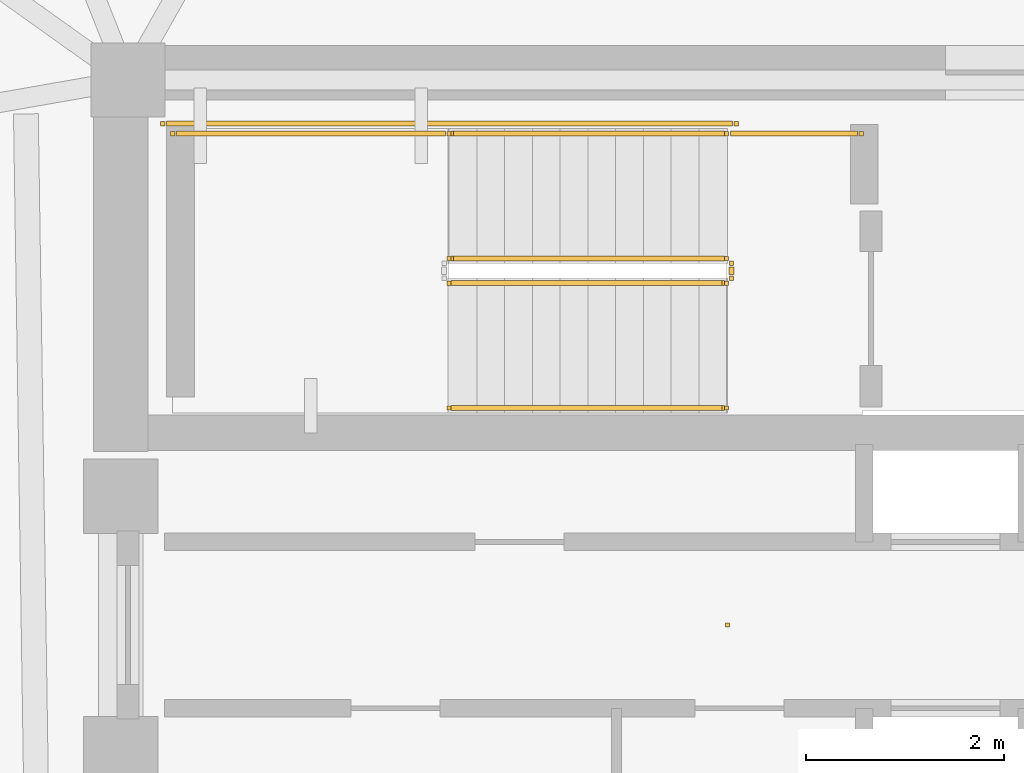
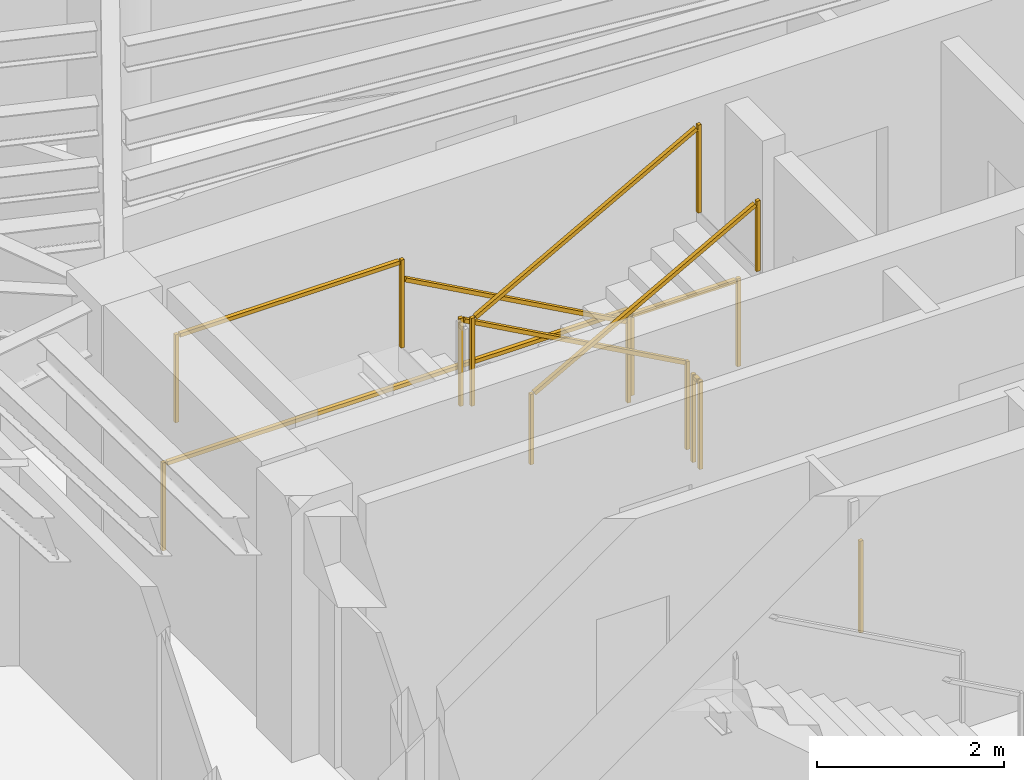
# One storey, part 8 of 9: 9 railings.
"""IFC4 building model written with IfcOpenShell, lengths in metres."""

from ifc_helpers import new_model, si_unit, direction, frame, origin, origin_2d, place, context, subcontext, project, spatial, rectangle, extrude, material, type_object, element, save


model = new_model("IFC4")

# Units and contexts
model_context = context("Model", 3, precision=1e-05, world=origin(), true_north=direction((0.0, 1.0)))
body_context = subcontext(model_context, "Body", "Model", "MODEL_VIEW")
ifc_project = project(units=[si_unit("LENGTHUNIT", "METRE"), si_unit("AREAUNIT", "SQUARE_METRE"), si_unit("VOLUMEUNIT", "CUBIC_METRE"), si_unit("PLANEANGLEUNIT", "RADIAN"), si_unit("MASSUNIT", "GRAM", prefix="KILO")], contexts=[model_context])

# Site, building, storey
site_placement = place(None, origin())
site = spatial("IfcSite", under=ifc_project, at=site_placement, CompositionType="ELEMENT")
building_placement = place(site_placement, origin())
building = spatial("IfcBuilding", under=site, at=building_placement, Name="Yunling Apex Tower", CompositionType="ELEMENT")
storey_placement = place(building_placement, frame((0.0, 0.0, 271.14990234375)))
storey = spatial("IfcBuildingStorey", under=building, at=storey_placement, Name="L66", CompositionType="ELEMENT", Elevation=271.14990234375)

# Railings
ifc_material_1 = material(Name="Bronze anodised aluminium", Category="aluminium")
railing_type_1 = type_object("IfcRailingType", Name="RL-BAL-1200", PredefinedType="BALUSTRADE", material=ifc_material_1)
railing_1_placement = place(storey_placement, origin())
element("IfcRailing", 1, at=railing_1_placement, inside=storey, type_object=railing_type_1, Name="RL-TATR-L66", PredefinedType="BALUSTRADE", context=body_context, shape_type="SweptSolid", body=[
    extrude(rectangle(XDim=0.0439453125, YDim=0.0439453125, at=origin_2d()), origin(), (0.0, 0.0, 1.0), 1.199951171875),
])
ifc_material_2 = material(Name="Steel Q355B", Category="steel")
railing_type_2 = type_object("IfcRailingType", Name="RL-GRD-1150", PredefinedType="GUARDRAIL", material=ifc_material_2)
railing_2_placement = place(storey_placement, frame((-0.010009765625, 3.699951171875, 0.154541015625)))
element("IfcRailing", 2, at=railing_2_placement, inside=storey, type_object=railing_type_2, Name="L66 ST-1 stair guard 1", PredefinedType="GUARDRAIL", context=body_context, shape_type="SweptSolid", body=[
    extrude(rectangle(XDim=0.0439453125, YDim=0.0439453125, at=origin_2d()), origin(), (0.0, 0.0, 1.0), 1.14990234375),
    extrude(rectangle(XDim=0.0439453125, YDim=0.0439453125, at=origin_2d()), frame((-2.800048828125, 0.0, 1.545654296875)), (0.0, 0.0, 1.0), 1.14990234375),
    extrude(rectangle(XDim=0.050048828125, YDim=0.050048828125, at=origin_2d()), frame((-0.033447265625, 0.0, 1.143310546875), z_axis=(-0.875471895205, 0.0, 0.483269035534), x_axis=(0.0, -1.0, 0.0)), (0.0, 0.0, 1.0), 3.12158203125),
])
railing_3_placement = place(storey_placement, frame((-2.81005859375, 4.9599609375, 1.7001953125)))
element("IfcRailing", 3, at=railing_3_placement, inside=storey, type_object=railing_type_2, Name="L66 ST-1 stair guard 3", PredefinedType="GUARDRAIL", context=body_context, shape_type="SweptSolid", body=[
    extrude(rectangle(XDim=0.0439453125, YDim=0.0439453125, at=origin_2d()), origin(), (0.0, 0.0, 1.0), 1.14990234375),
    extrude(rectangle(XDim=0.0439453125, YDim=0.0439453125, at=origin_2d()), frame((-2.7900390625, 0.0, 0.0)), (0.0, 0.0, 1.0), 1.14990234375),
    extrude(rectangle(XDim=0.050048828125, YDim=0.050048828125, at=origin_2d()), frame((-0.038330078125, 0.0, 1.125), z_axis=(-1.0, 0.0, 0.0), x_axis=(0.0, -1.0, 0.0)), (0.0, 0.0, 1.0), 2.71337890625),
])
railing_4_placement = place(storey_placement, frame((-2.81005859375, 3.449951171875, 1.854736328125)))
element("IfcRailing", 4, at=railing_4_placement, inside=storey, type_object=railing_type_2, Name="L66 ST-1 stair guard 4", PredefinedType="GUARDRAIL", context=body_context, shape_type="SweptSolid", body=[
    extrude(rectangle(XDim=0.0439453125, YDim=0.0439453125, at=origin_2d()), origin(), (0.0, 0.0, 1.0), 1.14990234375),
    extrude(rectangle(XDim=0.0439453125, YDim=0.0439453125, at=origin_2d()), frame((2.800048828125, 0.0, 1.54541015625)), (0.0, 0.0, 1.0), 1.14990234375),
    extrude(rectangle(XDim=0.050048828125, YDim=0.050048828125, at=origin_2d()), frame((0.033447265625, 0.0, 1.143310546875), z_axis=(0.875504190374, 0.0, 0.483210526207), x_axis=(0.0, 1.0, 0.0)), (0.0, 0.0, 1.0), 3.12158203125),
])
railing_5_placement = place(storey_placement, frame((0.0400390625, 3.64990234375, 0.0)))
element("IfcRailing", 5, at=railing_5_placement, inside=storey, type_object=railing_type_2, Name="L66 ST-1 stair guard 5", PredefinedType="GUARDRAIL", context=body_context, shape_type="SweptSolid", body=[
    extrude(rectangle(XDim=0.0439453125, YDim=0.0439453125, at=origin_2d()), origin(), (0.0, 0.0, 1.0), 1.14990234375),
    extrude(rectangle(XDim=0.0439453125, YDim=0.0439453125, at=origin_2d()), frame((0.0, -0.14990234375, 0.0)), (0.0, 0.0, 1.0), 1.14990234375),
    extrude(rectangle(XDim=0.050048828125, YDim=0.050048828125, at=origin_2d()), frame((0.0, -0.038330078125, 1.125), z_axis=(0.0, -1.0, 0.0), x_axis=(1.0, 0.0, 0.0)), (0.0, 0.0, 1.0), 0.0732421875),
])
railing_6_placement = place(storey_placement, frame((1.35009765625, 4.9599609375, 0.0)))
element("IfcRailing", 6, at=railing_6_placement, inside=storey, type_object=railing_type_2, Name="L66 ST-1 stair guard 6", PredefinedType="GUARDRAIL", context=body_context, shape_type="SweptSolid", body=[
    extrude(rectangle(XDim=0.0439453125, YDim=0.0439453125, at=origin_2d()), origin(), (0.0, 0.0, 1.0), 1.14990234375),
    extrude(rectangle(XDim=0.0439453125, YDim=0.0439453125, at=origin_2d()), frame((-1.360107421875, 0.0, 0.0)), (0.0, 0.0, 1.0), 1.14990234375),
    extrude(rectangle(XDim=0.050048828125, YDim=0.050048828125, at=origin_2d()), frame((-0.038330078125, 0.0, 1.125), z_axis=(-1.0, 0.0, 0.0), x_axis=(0.0, -1.0, 0.0)), (0.0, 0.0, 1.0), 1.283447265625),
])
railing_7_placement = place(storey_placement, frame((0.090087890625, 5.06005859375, 0.0)))
element("IfcRailing", 7, at=railing_7_placement, inside=storey, type_object=railing_type_2, Name="L66 ST-1 stair guard 7", PredefinedType="GUARDRAIL", context=body_context, shape_type="SweptSolid", body=[
    extrude(rectangle(XDim=0.0439453125, YDim=0.0439453125, at=origin_2d()), origin(), (0.0, 0.0, 1.0), 1.14990234375),
    extrude(rectangle(XDim=0.0439453125, YDim=0.0439453125, at=origin_2d()), frame((-5.7900390625, 0.0, 0.0)), (0.0, 0.0, 1.0), 1.14990234375),
    extrude(rectangle(XDim=0.050048828125, YDim=0.050048828125, at=origin_2d()), frame((-0.038330078125, 0.0, 1.125), z_axis=(-1.0, 0.0, 0.0), x_axis=(0.0, -1.0, 0.0)), (0.0, 0.0, 1.0), 5.71337890625),
])
ifc_material_3 = material(Name="Silver anodised aluminium", Category="aluminium")
railing_type_3 = type_object("IfcRailingType", Name="RL-HND-900", PredefinedType="HANDRAIL", material=ifc_material_3)
railing_8_placement = place(storey_placement, frame((-0.010009765625, 4.9599609375, 0.154541015625)))
element("IfcRailing", 8, at=railing_8_placement, inside=storey, type_object=railing_type_3, Name="L66 ST-1 stair handrail 1", PredefinedType="HANDRAIL", context=body_context, shape_type="SweptSolid", body=[
    extrude(rectangle(XDim=0.0439453125, YDim=0.0439453125, at=origin_2d()), origin(), (0.0, 0.0, 1.0), 0.919921875),
    extrude(rectangle(XDim=0.0439453125, YDim=0.0439453125, at=origin_2d()), frame((-2.800048828125, 0.0, 1.545654296875)), (0.0, 0.0, 1.0), 0.919921875),
    extrude(rectangle(XDim=0.050048828125, YDim=0.050048828125, at=origin_2d()), frame((-0.033447265625, 0.0, 0.913330078125), z_axis=(-0.875471895205, 0.0, 0.483269035534), x_axis=(0.0, -1.0, 0.0)), (0.0, 0.0, 1.0), 3.12158203125),
])
railing_9_placement = place(storey_placement, frame((-2.81005859375, 2.18994140625, 1.854736328125)))
element("IfcRailing", 9, at=railing_9_placement, inside=storey, type_object=railing_type_3, Name="L66 ST-1 stair handrail 2", PredefinedType="HANDRAIL", context=body_context, shape_type="SweptSolid", body=[
    extrude(rectangle(XDim=0.0439453125, YDim=0.0439453125, at=origin_2d()), origin(), (0.0, 0.0, 1.0), 0.919921875),
    extrude(rectangle(XDim=0.0439453125, YDim=0.0439453125, at=origin_2d()), frame((2.800048828125, 0.0, 1.54541015625)), (0.0, 0.0, 1.0), 0.919921875),
    extrude(rectangle(XDim=0.050048828125, YDim=0.050048828125, at=origin_2d()), frame((0.033447265625, 0.0, 0.913330078125), z_axis=(0.875504190374, 0.0, 0.483210526207), x_axis=(0.0, 1.0, 0.0)), (0.0, 0.0, 1.0), 3.12158203125),
])

save(model, "model.ifc")
